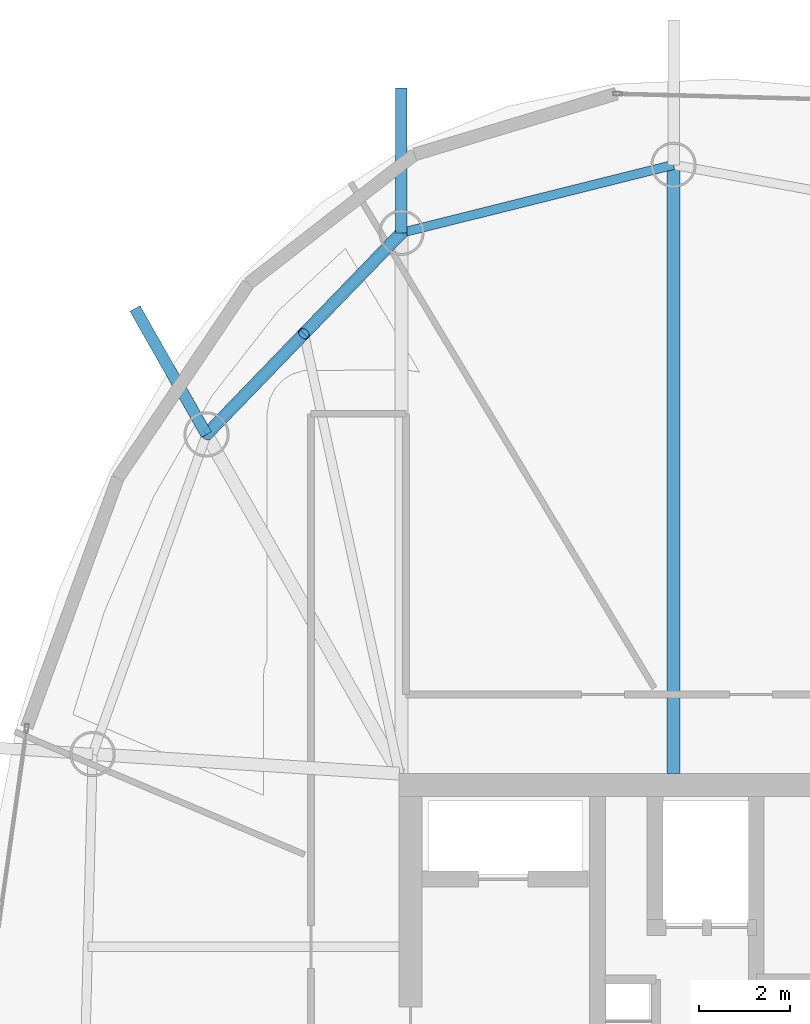
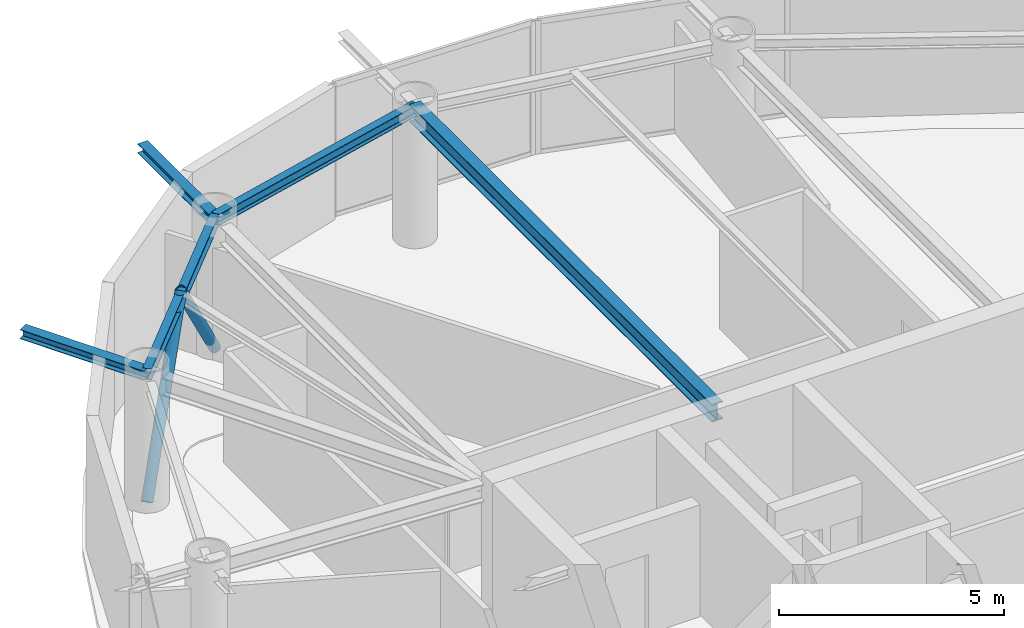
# One storey, part 10 of 20: 5 beams, 2 members.
"""IFC4 building model written with IfcOpenShell, lengths in metres."""

from ifc_helpers import new_model, si_unit, direction, frame, origin, origin_2d, place, context, subcontext, project, spatial, hollow_circle, i_section, extrude, material, material_profile, profile_set, type_object, element, save


model = new_model("IFC4")

# Units and contexts
model_context = context("Model", 3, precision=1e-05, world=origin(), true_north=direction((0.0, 1.0)))
body_context = subcontext(model_context, "Body", "Model", "MODEL_VIEW")
ifc_project = project(units=[si_unit("LENGTHUNIT", "METRE"), si_unit("AREAUNIT", "SQUARE_METRE"), si_unit("VOLUMEUNIT", "CUBIC_METRE"), si_unit("PLANEANGLEUNIT", "RADIAN"), si_unit("MASSUNIT", "GRAM", prefix="KILO")], contexts=[model_context])

# Site, building, storey
site_placement = place(None, origin())
site = spatial("IfcSite", under=ifc_project, at=site_placement, CompositionType="ELEMENT")
building_placement = place(site_placement, origin())
building = spatial("IfcBuilding", under=site, at=building_placement, Name="Bramvorn Convention Spire", CompositionType="ELEMENT")
storey_placement = place(building_placement, frame((0.0, 0.0, 284.39990234375)))
storey = spatial("IfcBuildingStorey", under=building, at=storey_placement, Name="L72", CompositionType="ELEMENT", Elevation=284.39990234375)

# Beams
ifc_material = material(Name="Steel CSA G40.21 Grade 350 (350W)", Category="steel")
ifc_material_profile_1 = material_profile(ifc_material, i_section(OverallWidth=0.25390625, OverallDepth=0.2529296875, WebThickness=0.008544921875, FlangeThickness=0.01416015625, FilletRadius=0.011962890625, at=origin_2d()))
ifc_profile_set_1 = profile_set([ifc_material_profile_1], Name="Steel CSA G40.21 Grade 350 (350W) - W250X73")
beam_type_1 = type_object("IfcBeamType", Name="BM-W250X73", PredefinedType="BEAM", material=ifc_profile_set_1)
beam_1_placement = place(storey_placement, frame((26.800048828125, 45.39892578125, 3.49853515625), z_axis=(0.0, 1.0, 0.0), x_axis=(-1.0, 0.0, 0.0)))
element("IfcBeam", 1, at=beam_1_placement, inside=storey, type_object=beam_type_1, Name="L72 slab-edge cantilever tip beam MC09", PredefinedType="BEAM", context=body_context, shape_type="SweptSolid", body=[
    extrude(i_section(OverallWidth=0.25390625, OverallDepth=0.2529296875, WebThickness=0.008544921875, FlangeThickness=0.01416015625, FilletRadius=0.011962890625, at=origin_2d()), origin(), (0.0, 0.0, 1.0), 3.2001953125),
])
beam_2_placement = place(storey_placement, frame((22.49365234375, 40.94384765625, 3.49853515625), z_axis=(-0.493918961888, 0.869507940785, 0.0), x_axis=(-0.869507940785, -0.493918961888, 0.0)))
element("IfcBeam", 2, at=beam_2_placement, inside=storey, type_object=beam_type_1, Name="L72 slab-edge cantilever tip beam MC10", PredefinedType="BEAM", context=body_context, shape_type="SweptSolid", body=[
    extrude(i_section(OverallWidth=0.25390625, OverallDepth=0.2529296875, WebThickness=0.008544921875, FlangeThickness=0.01416015625, FilletRadius=0.011962890625, at=origin_2d()), origin(), (0.0, 0.0, 1.0), 3.199951171875),
])
ifc_material_profile_2 = material_profile(ifc_material, i_section(OverallWidth=0.202880859375, OverallDepth=0.302978515625, WebThickness=0.007568359375, FlangeThickness=0.01318359375, FilletRadius=0.013916015625, at=origin_2d()))
ifc_profile_set_2 = profile_set([ifc_material_profile_2], Name="Steel CSA G40.21 Grade 350 (350W) - W310X60")
beam_type_2 = type_object("IfcBeamType", Name="BM-W310X60", PredefinedType="JOIST", material=ifc_profile_set_2)
for number, where, z_axis, x_axis, name in (
    (3, (32.8115234375, 46.90087890625, 3.4736328125), (-0.970177255997, -0.24239655927, 0.0), (0.24239655927, -0.970177255997, 0.0), "L72 mega-column ring beam 08"),
    (4, (26.800048828125, 45.39892578125, 3.4736328125), (-0.695007159797, -0.719002814898, 0.0), (0.719002814898, -0.695007159797, 0.0), "L72 mega-column ring beam 09"),
):
    element("IfcBeam", number, at=place(storey_placement, frame(where, z_axis=z_axis, x_axis=x_axis)), inside=storey, type_object=beam_type_2, Name=name, PredefinedType="JOIST", context=body_context, shape_type="SweptSolid", body=[
        extrude(i_section(OverallWidth=0.202880859375, OverallDepth=0.302978515625, WebThickness=0.007568359375, FlangeThickness=0.01318359375, FilletRadius=0.013916015625, at=origin_2d()), origin(), (0.0, 0.0, 1.0), 6.1962890625),
    ])
ifc_material_profile_3 = material_profile(ifc_material, i_section(OverallWidth=0.283935546875, OverallDepth=0.47607421875, WebThickness=0.014892578125, FlangeThickness=0.02392578125, FilletRadius=0.01806640625, at=origin_2d()))
ifc_profile_set_3 = profile_set([ifc_material_profile_3], Name="Steel CSA G40.21 Grade 350 (350W) - W460X158")
beam_type_3 = type_object("IfcBeamType", Name="BM-W460X158", PredefinedType="SPANDREL", material=ifc_profile_set_3)
beam_3_placement = place(storey_placement, frame((32.8115234375, 33.449951171875, 3.38720703125), z_axis=(0.0, 1.0, 0.0), x_axis=(-1.0, 0.0, 0.0)))
element("IfcBeam", 5, at=beam_3_placement, inside=storey, type_object=beam_type_3, Name="L72 radial floor girder MC08", PredefinedType="SPANDREL", context=body_context, shape_type="SweptSolid", body=[
    extrude(i_section(OverallWidth=0.283935546875, OverallDepth=0.47607421875, WebThickness=0.014892578125, FlangeThickness=0.02392578125, FilletRadius=0.01806640625, at=origin_2d()), origin(), (0.0, 0.0, 1.0), 13.450927734375),
])

# Members
ifc_material_profile_4 = material_profile(ifc_material, hollow_circle(Radius=0.136474609375, WallThickness=0.0126953125, at=origin_2d()))
ifc_profile_set_4 = profile_set([ifc_material_profile_4], Name="Steel CSA G40.21 Grade 350 (350W) - CHS273X13")
member_type = type_object("IfcMemberType", Name="MBR-CHS273X13", PredefinedType="BRACE", material=ifc_profile_set_4)
for number, where, z_axis, x_axis, name in (
    (6, (26.800048828125, 45.39892578125, 0.0), (-0.451564377753, -0.467128501431, 0.760184566993), (0.718983125626, -0.695027528279, 0.0), "L72 perimeter Gothic lancet brace 9A"),
    (7, (22.49365234375, 40.94384765625, 0.0), (0.451523618323, 0.46713930078, 0.760202141383), (-0.719022504671, 0.694986789642, 0.0), "L72 perimeter Gothic lancet brace 9B"),
):
    element("IfcMember", number, at=place(storey_placement, frame(where, z_axis=z_axis, x_axis=x_axis)), inside=storey, type_object=member_type, Name=name, PredefinedType="BRACE", context=body_context, shape_type="SweptSolid", body=[
        extrude(hollow_circle(Radius=0.136474609375, WallThickness=0.0126953125, at=origin_2d()), origin(), (0.0, 0.0, 1.0), 4.7685546875),
    ])

save(model, "model.ifc")
